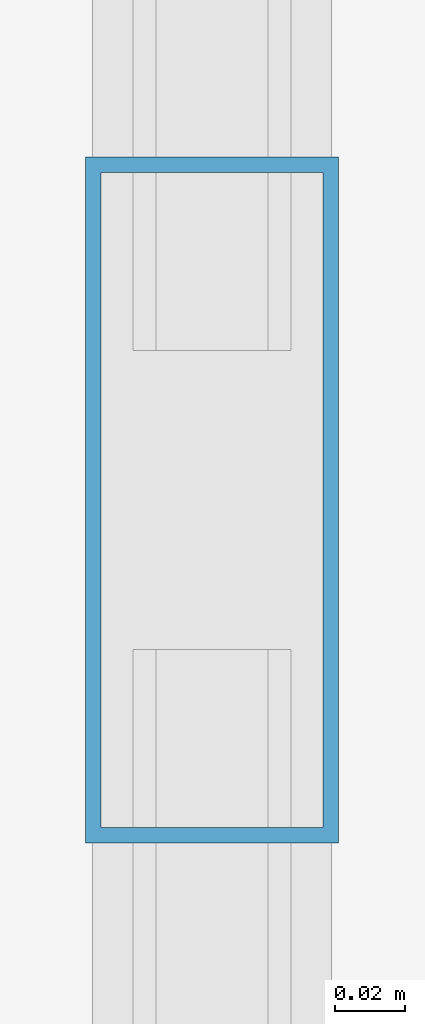
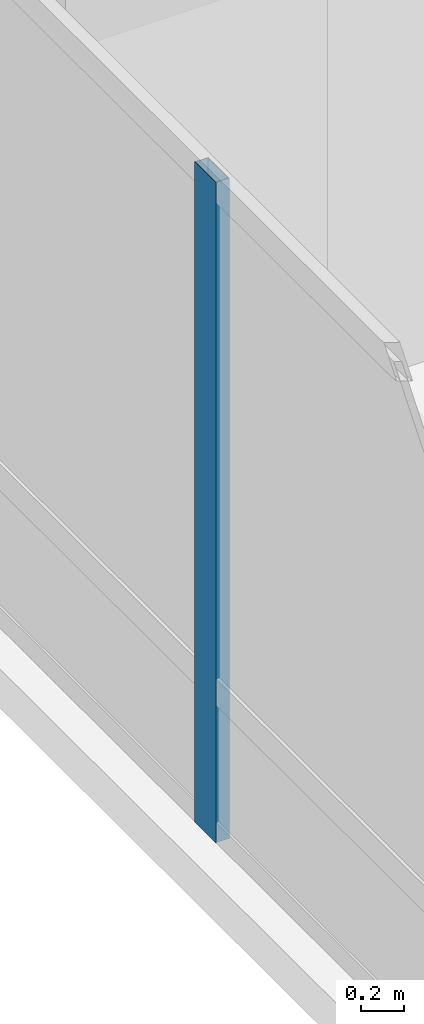
# One storey, part 9 of 35: 1 member, 1 element without a shape of its own.
"""IFC4 building model written with IfcOpenShell, lengths in metres."""

from ifc_helpers import new_model, si_unit, direction, frame, origin, origin_2d, place, context, subcontext, project, spatial, hollow_rectangle, extrude, material, material_profile, profile_set, type_object, element, aggregate, save


model = new_model("IFC4")

# Units and contexts
model_context = context("Model", 3, precision=1e-05, world=origin(), true_north=direction((0.0, 1.0)))
body_context = subcontext(model_context, "Body", "Model", "MODEL_VIEW")
ifc_project = project(units=[si_unit("LENGTHUNIT", "METRE"), si_unit("AREAUNIT", "SQUARE_METRE"), si_unit("VOLUMEUNIT", "CUBIC_METRE"), si_unit("PLANEANGLEUNIT", "RADIAN"), si_unit("MASSUNIT", "GRAM", prefix="KILO")], contexts=[model_context])

# Site, building, storey
site_placement = place(None, origin())
site = spatial("IfcSite", under=ifc_project, at=site_placement, CompositionType="ELEMENT")
building_placement = place(site_placement, origin())
building = spatial("IfcBuilding", under=site, at=building_placement, Name="Punatoya Terracotta Tower", CompositionType="ELEMENT")
storey_placement = place(building_placement, frame((0.0, 0.0, 232.949951171875)))
storey = spatial("IfcBuildingStorey", under=building, at=storey_placement, Name="L55", CompositionType="ELEMENT", Elevation=232.949951171875)

# Curtain wall, member
ifc_material_1 = material(Name="Aluminium 6063-T6 + Double Low-E Glass", Category="aluminium")
curtain_wall_type = type_object("IfcCurtainWallType", Name="CW-M2", PredefinedType="NOTDEFINED", material=ifc_material_1)
curtain_wall_placement = place(storey_placement, origin())
curtain_wall = element("IfcCurtainWall", 1, at=curtain_wall_placement, inside=storey, type_object=curtain_wall_type, Name="L55 Curtain Wall CW-L55-W11-1", PredefinedType="NOTDEFINED")
ifc_material_2 = material(Name="Aluminium 6063-T6", Category="aluminium")
ifc_material_profile = material_profile(ifc_material_2, hollow_rectangle(XDim=0.072021484375, YDim=0.195068359375, WallThickness=0.00439453125, at=origin_2d()))
ifc_profile_set = profile_set([ifc_material_profile], Name="Aluminium 6063-T6")
member_type = type_object("IfcMemberType", Name="CW-MUL-M2", PredefinedType="MULLION", material=ifc_profile_set)
member_placement = place(storey_placement, frame((-20.050048828125, -5.88720703125, 0.0), z_axis=(0.0, 0.0, 1.0), x_axis=(1.0, 0.0, 0.0)))
member = element("IfcMember", 2, at=member_placement, type_object=member_type, Name="CW-L55-W11-1 Mullion 05", PredefinedType="MULLION", context=body_context, shape_type="SweptSolid", body=[
    extrude(hollow_rectangle(XDim=0.072021484375, YDim=0.195068359375, WallThickness=0.00439453125, at=origin_2d()), origin(), (0.0, 0.0, 1.0), 3.72998046875),
])
aggregate(curtain_wall, [member])

save(model, "model.ifc")
